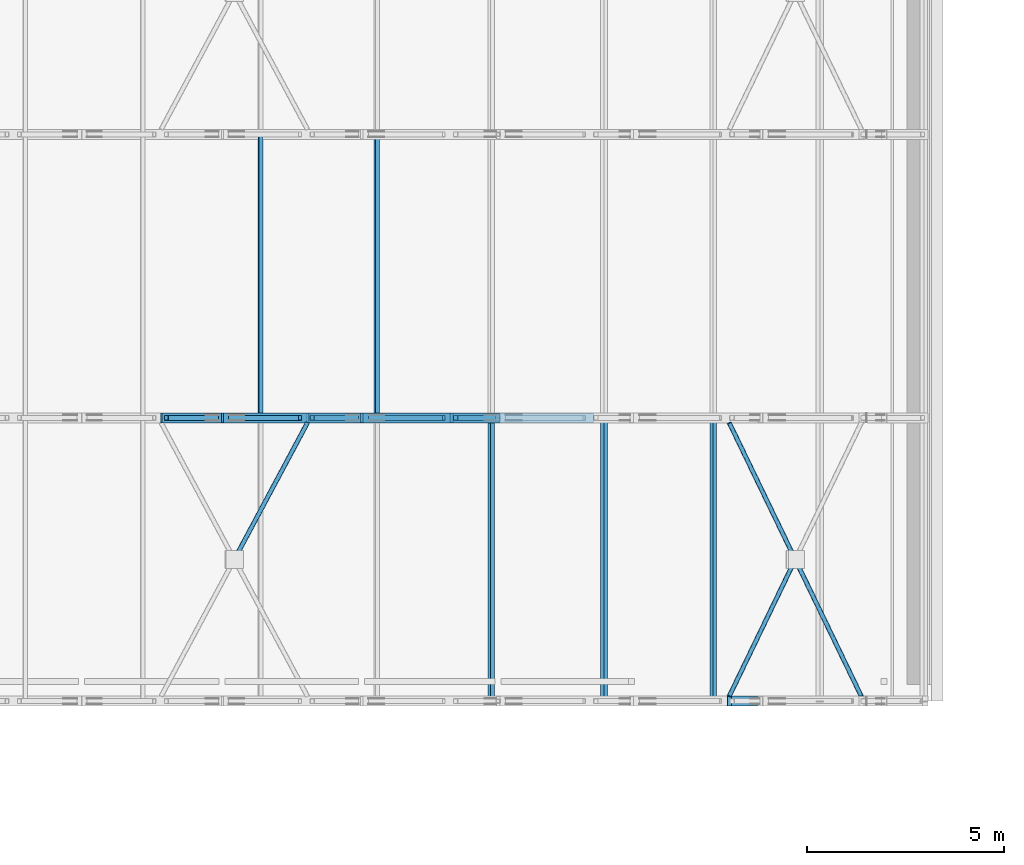
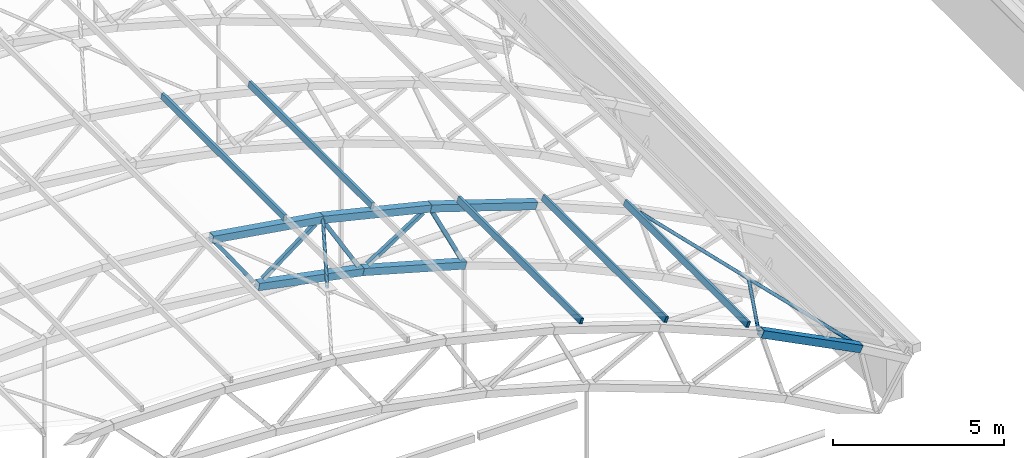
# One storey, part 17 of 127: 19 members.
"""IFC4 building model written with IfcOpenShell, lengths in metres."""

from ifc_helpers import new_model, si_unit, direction, frame, origin, origin_2d, place, context, subcontext, project, spatial, hollow_rectangle, hollow_circle, extrude, material, material_profile, profile_set, type_object, element, save


model = new_model("IFC4")

# Units and contexts
model_context = context("Model", 3, precision=1e-05, world=origin(), true_north=direction((0.0, 1.0)))
body_context = subcontext(model_context, "Body", "Model", "MODEL_VIEW")
ifc_project = project(units=[si_unit("LENGTHUNIT", "METRE"), si_unit("AREAUNIT", "SQUARE_METRE"), si_unit("VOLUMEUNIT", "CUBIC_METRE"), si_unit("PLANEANGLEUNIT", "RADIAN"), si_unit("MASSUNIT", "GRAM", prefix="KILO")], contexts=[model_context])

# Site, building, storey
site_placement = place(None, origin())
site = spatial("IfcSite", under=ifc_project, at=site_placement, CompositionType="ELEMENT")
building_placement = place(site_placement, origin())
building = spatial("IfcBuilding", under=site, at=building_placement, Name="Verrick Yard Athletic Hall", CompositionType="ELEMENT")
storey_placement = place(building_placement, frame((0.0, 0.0, 14.0)))
storey = spatial("IfcBuildingStorey", under=building, at=storey_placement, Name="L03", CompositionType="ELEMENT", Elevation=14.0)

# Members
ifc_material = material(Name="Structural steel HSS Class C 350W (CSA G40.20/G40.21)", Category="steel")
ifc_material_profile_1 = material_profile(ifc_material, hollow_rectangle(XDim=0.25390625, YDim=0.25390625, WallThickness=0.009521484375, at=origin_2d()), Name="HSS254x254x9.5")
ifc_profile_set_1 = profile_set([ifc_material_profile_1], Name="Structural steel HSS Class C 350W (CSA G40.20/G40.21)")
member_type_1 = type_object("IfcMemberType", Name="HB bottom chord HSS254x254x9.5", PredefinedType="CHORD", material=ifc_profile_set_1)
member_1_placement = place(storey_placement, frame((59.189208984375, 79.199951171875, 6.191650390625), z_axis=(0.980848695375, 0.0, -0.194771242181), x_axis=(0.0, 1.0, 0.0)))
element("IfcMember", 1, at=member_1_placement, inside=storey, type_object=member_type_1, Name="Truss TB2 bottom chord 10", PredefinedType="CHORD", context=body_context, shape_type="SweptSolid", body=[
    extrude(hollow_rectangle(XDim=0.25390625, YDim=0.25390625, WallThickness=0.009521484375, at=origin_2d()), origin(), (0.0, 0.0, 1.0), 3.59619140625),
])
member_2_placement = place(storey_placement, frame((62.726318359375, 79.199951171875, 5.489013671875), z_axis=(0.962572378456, 0.0, -0.271024752066), x_axis=(0.0, 1.0, 0.0)))
element("IfcMember", 2, at=member_2_placement, inside=storey, type_object=member_type_1, Name="Truss TB2 bottom chord 11", PredefinedType="CHORD", context=body_context, shape_type="SweptSolid", body=[
    extrude(hollow_rectangle(XDim=0.25390625, YDim=0.25390625, WallThickness=0.009521484375, at=origin_2d()), origin(), (0.0, 0.0, 1.0), 3.595947265625),
])
ifc_material_profile_2 = material_profile(ifc_material, hollow_rectangle(XDim=0.1015625, YDim=0.203125, WallThickness=0.009521484375, at=origin_2d()), Name="HSS203x102x9.5")
ifc_profile_set_2 = profile_set([ifc_material_profile_2], Name="Structural steel HSS Class C 350W (CSA G40.20/G40.21)")
member_type_2 = type_object("IfcMemberType", Name="HB purlin HSS203x102x9.5", PredefinedType="PURLIN", material=ifc_profile_set_2)
for number, where, z_axis, x_axis, name in (
    (3, (66.0205078125, 72.0, 6.872802734375), (0.0, 1.0, 0.0), (-0.951213620533, 0.0, 0.308533058379), "HB-PU-B-1-14"),
    (4, (68.885009765625, 72.0, 5.92431640625), (0.0, 1.0, 0.0), (-0.924122791552, 0.0, 0.382095624331), "HB-PU-B-1-15"),
    (5, (71.6572265625, 72.0, 4.778076171875), (0.0, 1.0, 0.0), (-0.924122791552, 0.0, 0.382095624331), "HB-PU-B-1-16"),
    (6, (60.153076171875, 79.199951171875, 8.258544921875), (0.0, 1.0, 0.0), (-0.987728086354, 0.0, 0.156183313539), "HB-PU-B-2-12"),
    (7, (63.10693359375, 79.199951171875, 7.651611328125), (0.0, 1.0, 0.0), (-0.972458956474, 0.0, 0.23307418985), "HB-PU-B-2-13"),
):
    element("IfcMember", number, at=place(storey_placement, frame(where, z_axis=z_axis, x_axis=x_axis)), inside=storey, type_object=member_type_2, Name=name, PredefinedType="PURLIN", context=body_context, shape_type="SweptSolid", body=[
        extrude(hollow_rectangle(XDim=0.1015625, YDim=0.203125, WallThickness=0.009521484375, at=origin_2d()), origin(), (0.0, 0.0, 1.0), 7.199951171875),
    ])
ifc_material_profile_3 = material_profile(ifc_material, hollow_circle(Radius=0.05712890625, WallThickness=0.00634765625, at=origin_2d()), Name="HSS114x6.4")
ifc_profile_set_3 = profile_set([ifc_material_profile_3], Name="Structural steel HSS Class C 350W (CSA G40.20/G40.21)")
member_type_3 = type_object("IfcMemberType", Name="HB roof brace HSS114x6.4", PredefinedType="BRACE", material=ifc_profile_set_3)
member_3_placement = place(storey_placement, frame((59.540771484375, 75.69287109375, 8.123779296875), z_axis=(0.470471333752, 0.879275866064, -0.074368511315), x_axis=(-0.881717493365, 0.471777767486, 0.0)))
element("IfcMember", 8, at=member_3_placement, inside=storey, type_object=member_type_3, Name="HB-BR-B-1-8b2", PredefinedType="BRACE", context=body_context, shape_type="SweptSolid", body=[
    extrude(hollow_circle(Radius=0.05712890625, WallThickness=0.00634765625, at=origin_2d()), origin(), (0.0, 0.0, 1.0), 3.84423828125),
])
member_4_placement = place(storey_placement, frame((72.065185546875, 72.126953125, 4.362060546875), z_axis=(0.424531356803, 0.879291124352, -0.215917219616), x_axis=(-0.900533196274, 0.434787261093, 0.0)))
element("IfcMember", 9, at=member_4_placement, inside=storey, type_object=member_type_3, Name="HB-BR-B-1-12b1", PredefinedType="BRACE", context=body_context, shape_type="SweptSolid", body=[
    extrude(hollow_circle(Radius=0.05712890625, WallThickness=0.00634765625, at=origin_2d()), origin(), (0.0, 0.0, 1.0), 3.844482421875),
])
member_5_placement = place(storey_placement, frame((75.419189453125, 72.126953125, 2.65625), z_axis=(-0.424568777061, 0.879269637222, 0.215931143203), x_axis=(-0.900514029788, -0.434826956565, 0.0)))
element("IfcMember", 10, at=member_5_placement, inside=storey, type_object=member_type_3, Name="HB-BR-B-1-12a", PredefinedType="BRACE", context=body_context, shape_type="SweptSolid", body=[
    extrude(hollow_circle(Radius=0.05712890625, WallThickness=0.00634765625, at=origin_2d()), origin(), (0.0, 0.0, 1.0), 7.89990234375),
])
ifc_material_profile_4 = material_profile(ifc_material, hollow_rectangle(XDim=0.25390625, YDim=0.25390625, WallThickness=0.009521484375, at=origin_2d()), Name="HSS254x254x9.5")
ifc_profile_set_4 = profile_set([ifc_material_profile_4], Name="Structural steel HSS Class C 350W (CSA G40.20/G40.21)")
member_type_4 = type_object("IfcMemberType", Name="HB top chord HSS254x254x9.5", PredefinedType="CHORD", material=ifc_profile_set_4)
member_6_placement = place(storey_placement, frame((72.069580078125, 72.0, 4.35986328125), z_axis=(0.891336584454, 0.0, -0.453342137037), x_axis=(0.0, 1.0, 0.0)))
element("IfcMember", 11, at=member_6_placement, inside=storey, type_object=member_type_4, Name="Truss TB1 top chord 14", PredefinedType="CHORD", context=body_context, shape_type="SweptSolid", body=[
    extrude(hollow_rectangle(XDim=0.25390625, YDim=0.25390625, WallThickness=0.009521484375, at=origin_2d()), origin(), (0.0, 0.0, 1.0), 3.754150390625),
])
member_7_placement = place(storey_placement, frame((57.6376953125, 79.199951171875, 8.4248046875), z_axis=(0.987726014692, 0.0, -0.156196414495), x_axis=(0.0, 1.0, 0.0)))
element("IfcMember", 12, at=member_7_placement, inside=storey, type_object=member_type_4, Name="Truss TB2 top chord 10", PredefinedType="CHORD", context=body_context, shape_type="SweptSolid", body=[
    extrude(hollow_rectangle(XDim=0.25390625, YDim=0.25390625, WallThickness=0.009521484375, at=origin_2d()), origin(), (0.0, 0.0, 1.0), 3.7529296875),
])
for number, where, z_axis, x_axis, name in (
    (13, (61.354248046875, 79.199951171875, 7.836669921875), (0.972453991168, 0.0, -0.233094905697), (0.0, 1.0, 0.0), "Truss TB2 top chord 11"),
    (14, (65.013427734375, 79.199951171875, 6.959228515625), (0.951202693453, 0.0, -0.308566744754), (0.0, 1.0, 0.0), "Truss TB2 top chord 12"),
):
    element("IfcMember", number, at=place(storey_placement, frame(where, z_axis=z_axis, x_axis=x_axis)), inside=storey, type_object=member_type_4, Name=name, PredefinedType="CHORD", context=body_context, shape_type="SweptSolid", body=[
        extrude(hollow_rectangle(XDim=0.25390625, YDim=0.25390625, WallThickness=0.009521484375, at=origin_2d()), origin(), (0.0, 0.0, 1.0), 3.752685546875),
    ])
ifc_material_profile_5 = material_profile(ifc_material, hollow_rectangle(XDim=0.126953125, YDim=0.126953125, WallThickness=0.009521484375, at=origin_2d()), Name="HSS127x127x9.5")
ifc_profile_set_5 = profile_set([ifc_material_profile_5], Name="Structural steel HSS Class C 350W (CSA G40.20/G40.21)")
member_type_5 = type_object("IfcMemberType", Name="HB truss web HSS127x127x9.5", PredefinedType="BRACE", material=ifc_profile_set_5)
member_8_placement = place(storey_placement, frame((57.767822265625, 79.199951171875, 8.231201171875), z_axis=(0.570664111571, 0.0, -0.821183579819), x_axis=(0.0, 1.0, 0.0)))
element("IfcMember", 15, at=member_8_placement, inside=storey, type_object=member_type_5, Name="Truss TB2 web 18", PredefinedType="BRACE", context=body_context, shape_type="SweptSolid", body=[
    extrude(hollow_rectangle(XDim=0.126953125, YDim=0.126953125, WallThickness=0.009521484375, at=origin_2d()), origin(), (0.0, 0.0, 1.0), 2.233642578125),
])
member_9_placement = place(storey_placement, frame((59.382568359375, 79.199951171875, 6.34326171875), z_axis=(0.796206425538, 0.0, 0.605025063887), x_axis=(0.0, 1.0, 0.0)))
element("IfcMember", 16, at=member_9_placement, inside=storey, type_object=member_type_5, Name="Truss TB2 web 19", PredefinedType="BRACE", context=body_context, shape_type="SweptSolid", body=[
    extrude(hollow_rectangle(XDim=0.126953125, YDim=0.126953125, WallThickness=0.009521484375, at=origin_2d()), origin(), (0.0, 0.0, 1.0), 2.2333984375),
])
for number, where, z_axis, x_axis, name in (
    (17, (61.46875, 79.199951171875, 7.633544921875), (0.504625153938, 0.0, -0.863338551214), (0.0, 1.0, 0.0), "Truss TB2 web 20"),
    (18, (62.9306640625, 79.199951171875, 5.624755859375), (0.841118094735, 0.0, 0.54085150523), (0.0, 1.0, 0.0), "Truss TB2 web 21"),
    (19, (65.111572265625, 79.199951171875, 6.74755859375), (0.435458074734, 0.0, -0.900209011924), (0.0, 1.0, 0.0), "Truss TB2 web 22"),
):
    element("IfcMember", number, at=place(storey_placement, frame(where, z_axis=z_axis, x_axis=x_axis)), inside=storey, type_object=member_type_5, Name=name, PredefinedType="BRACE", context=body_context, shape_type="SweptSolid", body=[
        extrude(hollow_rectangle(XDim=0.126953125, YDim=0.126953125, WallThickness=0.009521484375, at=origin_2d()), origin(), (0.0, 0.0, 1.0), 2.233642578125),
    ])

save(model, "model.ifc")
